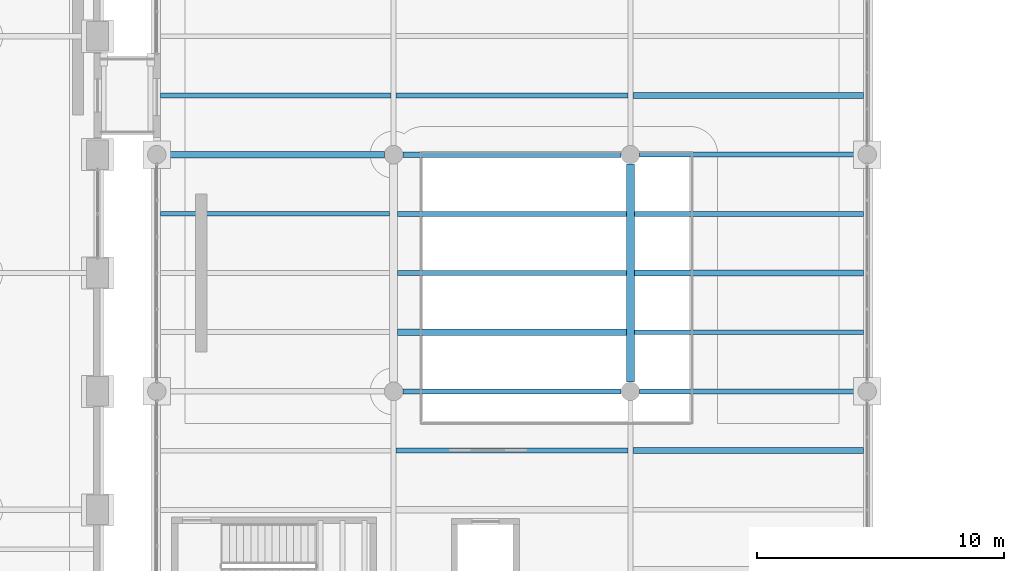
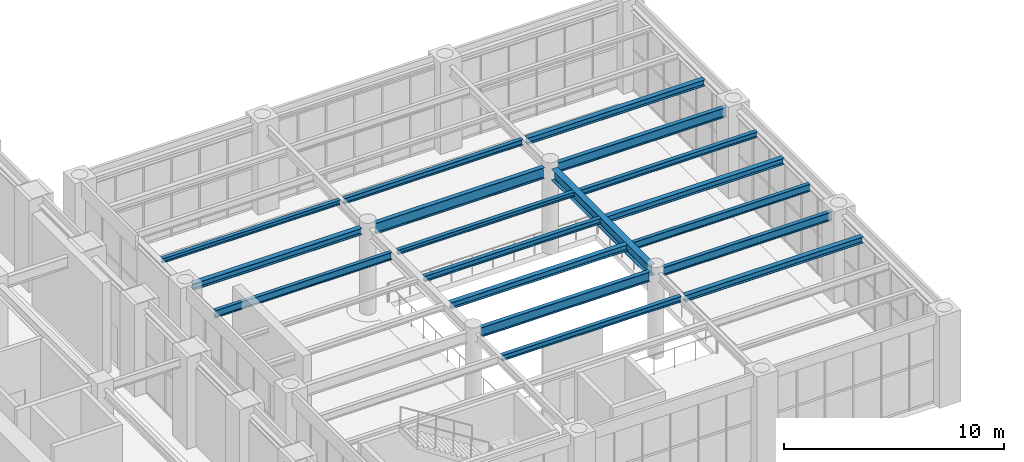
# One storey, part 40 of 174: 18 beams.
"""IFC4 building model written with IfcOpenShell, lengths in metres."""

from ifc_helpers import new_model, si_unit, direction, frame, origin, origin_2d, place, context, subcontext, project, spatial, i_section, extrude, material, material_profile, profile_set, type_object, element, save


model = new_model("IFC4")

# Units and contexts
model_context = context("Model", 3, precision=1e-05, world=origin(), true_north=direction((0.0, 1.0)))
body_context = subcontext(model_context, "Body", "Model", "MODEL_VIEW")
ifc_project = project(units=[si_unit("LENGTHUNIT", "METRE"), si_unit("AREAUNIT", "SQUARE_METRE"), si_unit("VOLUMEUNIT", "CUBIC_METRE"), si_unit("PLANEANGLEUNIT", "RADIAN"), si_unit("MASSUNIT", "GRAM", prefix="KILO")], contexts=[model_context])

# Site, building, storey
site_placement = place(None, origin())
site = spatial("IfcSite", under=ifc_project, at=site_placement, CompositionType="ELEMENT")
building_placement = place(site_placement, origin())
building = spatial("IfcBuilding", under=site, at=building_placement, Name="Mavantir Sound Aquarium", CompositionType="ELEMENT")
storey_placement = place(building_placement, frame((0.0, 0.0, 5.39990234375)))
storey = spatial("IfcBuildingStorey", under=building, at=storey_placement, Name="L01", CompositionType="ELEMENT", Elevation=5.39990234375)

# Beams
ifc_material = material(Name="Structural Steel ASTM A992 Gr50", Category="steel")
ifc_material_profile_1 = material_profile(ifc_material, i_section(OverallWidth=0.202880859375, OverallDepth=0.251953125, WebThickness=0.008056640625, FlangeThickness=0.013427734375, FilletRadius=0.011962890625, at=origin_2d()), Name="W250X58")
ifc_profile_set_1 = profile_set([ifc_material_profile_1], Name="Structural Steel ASTM A992 Gr50")
beam_type_1 = type_object("IfcBeamType", Name="BM-W250X58-I", PredefinedType="JOIST", material=ifc_profile_set_1)
beam_1_placement = place(storey_placement, frame((45.761962890625, 57.60009765625, 4.670166015625), z_axis=(1.0, 0.0, 0.0), x_axis=(0.0, 1.0, 0.0)))
element("IfcBeam", 1, at=beam_1_placement, inside=storey, type_object=beam_type_1, Name="L01 secondary floor joist SJ-25 676", PredefinedType="JOIST", context=body_context, shape_type="SweptSolid", body=[
    extrude(i_section(OverallWidth=0.202880859375, OverallDepth=0.251953125, WebThickness=0.008056640625, FlangeThickness=0.013427734375, FilletRadius=0.011962890625, at=origin_2d()), origin(), (0.0, 0.0, 1.0), 9.276123046875),
])
beam_2_placement = place(storey_placement, frame((36.152587890625, 62.39990234375, 4.650146484375), z_axis=(1.0, 0.0, 0.0), x_axis=(0.0, 1.0, 0.0)))
element("IfcBeam", 2, at=beam_2_placement, inside=storey, type_object=beam_type_1, Name="L01 secondary floor joist SJ-25 680", PredefinedType="JOIST", context=body_context, shape_type="SweptSolid", body=[
    extrude(i_section(OverallWidth=0.202880859375, OverallDepth=0.251953125, WebThickness=0.008056640625, FlangeThickness=0.013427734375, FilletRadius=0.011962890625, at=origin_2d()), origin(), (0.0, 0.0, 1.0), 9.34130859375),
])
ifc_material_profile_2 = material_profile(ifc_material, i_section(OverallWidth=0.205078125, OverallDepth=0.31005859375, WebThickness=0.009521484375, FlangeThickness=0.016357421875, FilletRadius=0.012939453125, at=origin_2d()), Name="W310X74")
ifc_profile_set_2 = profile_set([ifc_material_profile_2], Name="Structural Steel ASTM A992 Gr50")
beam_type_2 = type_object("IfcBeamType", Name="BM-W310X74-I", PredefinedType="JOIST", material=ifc_profile_set_2)
beam_3_placement = place(storey_placement, frame((45.697021484375, 48.0, 4.64111328125), z_axis=(1.0, 0.0, 0.0), x_axis=(0.0, 1.0, 0.0)))
element("IfcBeam", 3, at=beam_3_placement, inside=storey, type_object=beam_type_2, Name="L01 secondary floor joist SJ-31 667", PredefinedType="JOIST", context=body_context, shape_type="SweptSolid", body=[
    extrude(i_section(OverallWidth=0.205078125, OverallDepth=0.31005859375, WebThickness=0.009521484375, FlangeThickness=0.016357421875, FilletRadius=0.012939453125, at=origin_2d()), origin(), (0.0, 0.0, 1.0), 9.406005859375),
])
beam_4_placement = place(storey_placement, frame((45.761962890625, 55.199951171875, 4.64111328125), z_axis=(1.0, 0.0, 0.0), x_axis=(0.0, 1.0, 0.0)))
element("IfcBeam", 4, at=beam_4_placement, inside=storey, type_object=beam_type_2, Name="L01 secondary floor joist SJ-31 675", PredefinedType="JOIST", context=body_context, shape_type="SweptSolid", body=[
    extrude(i_section(OverallWidth=0.205078125, OverallDepth=0.31005859375, WebThickness=0.009521484375, FlangeThickness=0.016357421875, FilletRadius=0.012939453125, at=origin_2d()), origin(), (0.0, 0.0, 1.0), 9.276123046875),
])
beam_5_placement = place(storey_placement, frame((55.362060546875, 57.60009765625, 4.62109375), z_axis=(1.0, 0.0, 0.0), x_axis=(0.0, 1.0, 0.0)))
element("IfcBeam", 5, at=beam_5_placement, inside=storey, type_object=beam_type_2, Name="L01 secondary floor joist SJ-31 679", PredefinedType="JOIST", context=body_context, shape_type="SweptSolid", body=[
    extrude(i_section(OverallWidth=0.205078125, OverallDepth=0.31005859375, WebThickness=0.009521484375, FlangeThickness=0.016357421875, FilletRadius=0.012939453125, at=origin_2d()), origin(), (0.0, 0.0, 1.0), 9.285400390625),
])
beam_6_placement = place(storey_placement, frame((45.7060546875, 62.39990234375, 4.62109375), z_axis=(1.0, 0.0, 0.0), x_axis=(0.0, 1.0, 0.0)))
element("IfcBeam", 6, at=beam_6_placement, inside=storey, type_object=beam_type_2, Name="L01 secondary floor joist SJ-31 683", PredefinedType="JOIST", context=body_context, shape_type="SweptSolid", body=[
    extrude(i_section(OverallWidth=0.205078125, OverallDepth=0.31005859375, WebThickness=0.009521484375, FlangeThickness=0.016357421875, FilletRadius=0.012939453125, at=origin_2d()), origin(), (0.0, 0.0, 1.0), 9.387939453125),
])
ifc_material_profile_3 = material_profile(ifc_material, i_section(OverallWidth=0.257080078125, OverallDepth=0.363037109375, WebThickness=0.012939453125, FlangeThickness=0.021728515625, FilletRadius=0.014892578125, at=origin_2d()), Name="W360X122")
ifc_profile_set_3 = profile_set([ifc_material_profile_3], Name="Structural Steel ASTM A992 Gr50")
beam_type_3 = type_object("IfcBeamType", Name="BM-W360X122-I", PredefinedType="BEAM", material=ifc_profile_set_3)
beam_7_placement = place(storey_placement, frame((36.375, 60.0, 4.594482421875), z_axis=(1.0, 0.0, 0.0), x_axis=(0.0, 1.0, 0.0)))
element("IfcBeam", 7, at=beam_7_placement, inside=storey, type_object=beam_type_3, Name="L01 primary beam SB-36A 1188", PredefinedType="BEAM", context=body_context, shape_type="SweptSolid", body=[
    extrude(i_section(OverallWidth=0.257080078125, OverallDepth=0.363037109375, WebThickness=0.012939453125, FlangeThickness=0.021728515625, FilletRadius=0.014892578125, at=origin_2d()), origin(), (0.0, 0.0, 1.0), 8.85009765625),
])
ifc_material_profile_4 = material_profile(ifc_material, i_section(OverallWidth=0.25390625, OverallDepth=0.35302734375, WebThickness=0.009521484375, FlangeThickness=0.016357421875, FilletRadius=0.014892578125, at=origin_2d()), Name="W360X91")
ifc_profile_set_4 = profile_set([ifc_material_profile_4], Name="Structural Steel ASTM A992 Gr50")
beam_type_4 = type_object("IfcBeamType", Name="BM-W360X91-I", PredefinedType="JOIST", material=ifc_profile_set_4)
beam_8_placement = place(storey_placement, frame((55.297119140625, 48.0, 4.599609375), z_axis=(1.0, 0.0, 0.0), x_axis=(0.0, 1.0, 0.0)))
element("IfcBeam", 8, at=beam_8_placement, inside=storey, type_object=beam_type_4, Name="L01 secondary floor joist SJ-36 670", PredefinedType="JOIST", context=body_context, shape_type="SweptSolid", body=[
    extrude(i_section(OverallWidth=0.25390625, OverallDepth=0.35302734375, WebThickness=0.009521484375, FlangeThickness=0.016357421875, FilletRadius=0.014892578125, at=origin_2d()), origin(), (0.0, 0.0, 1.0), 9.350341796875),
])
beam_9_placement = place(storey_placement, frame((45.761962890625, 52.800048828125, 4.61962890625), z_axis=(1.0, 0.0, 0.0), x_axis=(0.0, 1.0, 0.0)))
element("IfcBeam", 9, at=beam_9_placement, inside=storey, type_object=beam_type_4, Name="L01 secondary floor joist SJ-36 674", PredefinedType="JOIST", context=body_context, shape_type="SweptSolid", body=[
    extrude(i_section(OverallWidth=0.25390625, OverallDepth=0.35302734375, WebThickness=0.009521484375, FlangeThickness=0.016357421875, FilletRadius=0.014892578125, at=origin_2d()), origin(), (0.0, 0.0, 1.0), 9.276123046875),
])
beam_10_placement = place(storey_placement, frame((55.362060546875, 55.199951171875, 4.599609375), z_axis=(1.0, 0.0, 0.0), x_axis=(0.0, 1.0, 0.0)))
element("IfcBeam", 10, at=beam_10_placement, inside=storey, type_object=beam_type_4, Name="L01 secondary floor joist SJ-36 678", PredefinedType="JOIST", context=body_context, shape_type="SweptSolid", body=[
    extrude(i_section(OverallWidth=0.25390625, OverallDepth=0.35302734375, WebThickness=0.009521484375, FlangeThickness=0.016357421875, FilletRadius=0.014892578125, at=origin_2d()), origin(), (0.0, 0.0, 1.0), 9.285400390625),
])
beam_11_placement = place(storey_placement, frame((55.305908203125, 62.39990234375, 4.599609375), z_axis=(1.0, 0.0, 0.0), x_axis=(0.0, 1.0, 0.0)))
element("IfcBeam", 11, at=beam_11_placement, inside=storey, type_object=beam_type_4, Name="L01 secondary floor joist SJ-36 686", PredefinedType="JOIST", context=body_context, shape_type="SweptSolid", body=[
    extrude(i_section(OverallWidth=0.25390625, OverallDepth=0.35302734375, WebThickness=0.009521484375, FlangeThickness=0.016357421875, FilletRadius=0.014892578125, at=origin_2d()), origin(), (0.0, 0.0, 1.0), 9.341552734375),
])
ifc_material_profile_5 = material_profile(ifc_material, i_section(OverallWidth=0.180908203125, OverallDepth=0.4169921875, WebThickness=0.010986328125, FlangeThickness=0.018310546875, FilletRadius=0.014892578125, at=origin_2d()), Name="W410X85")
ifc_profile_set_5 = profile_set([ifc_material_profile_5], Name="Structural Steel ASTM A992 Gr50")
beam_type_5 = type_object("IfcBeamType", Name="BM-W410X85-I", PredefinedType="JOIST", material=ifc_profile_set_5)
for number, where, z_axis, x_axis, name in (
    (12, (36.152587890625, 57.60009765625, 4.587646484375), (1.0, 0.0, 0.0), (0.0, 1.0, 0.0), "L01 secondary floor joist SJ-41 673"),
    (13, (55.362060546875, 52.800048828125, 4.567626953125), (1.0, 0.0, 0.0), (0.0, 1.0, 0.0), "L01 secondary floor joist SJ-41 677"),
):
    element("IfcBeam", number, at=place(storey_placement, frame(where, z_axis=z_axis, x_axis=x_axis)), inside=storey, type_object=beam_type_5, Name=name, PredefinedType="JOIST", context=body_context, shape_type="SweptSolid", body=[
        extrude(i_section(OverallWidth=0.180908203125, OverallDepth=0.4169921875, WebThickness=0.010986328125, FlangeThickness=0.018310546875, FilletRadius=0.014892578125, at=origin_2d()), origin(), (0.0, 0.0, 1.0), 9.285400390625),
    ])
ifc_material_profile_6 = material_profile(ifc_material, i_section(OverallWidth=0.194091796875, OverallDepth=0.468994140625, WebThickness=0.0126953125, FlangeThickness=0.0205078125, FilletRadius=0.01611328125, at=origin_2d()), Name="W460X106")
ifc_profile_set_6 = profile_set([ifc_material_profile_6], Name="Structural Steel ASTM A992 Gr50")
beam_type_6 = type_object("IfcBeamType", Name="BM-W460X106-I", PredefinedType="BEAM", material=ifc_profile_set_6)
beam_12_placement = place(storey_placement, frame((55.574951171875, 50.39990234375, 4.54150390625), z_axis=(1.0, 0.0, 0.0), x_axis=(0.0, 1.0, 0.0)))
element("IfcBeam", 14, at=beam_12_placement, inside=storey, type_object=beam_type_6, Name="L01 primary beam SB-46 1187", PredefinedType="BEAM", context=body_context, shape_type="SweptSolid", body=[
    extrude(i_section(OverallWidth=0.194091796875, OverallDepth=0.468994140625, WebThickness=0.0126953125, FlangeThickness=0.0205078125, FilletRadius=0.01611328125, at=origin_2d()), origin(), (0.0, 0.0, 1.0), 8.85009765625),
])
ifc_material_profile_7 = material_profile(ifc_material, i_section(OverallWidth=0.2119140625, OverallDepth=0.5439453125, WebThickness=0.01318359375, FlangeThickness=0.021240234375, FilletRadius=0.01806640625, at=origin_2d()), Name="W530X123")
ifc_profile_set_7 = profile_set([ifc_material_profile_7], Name="Structural Steel ASTM A992 Gr50")
beam_type_7 = type_object("IfcBeamType", Name="BM-W530X123-I", PredefinedType="BEAM", material=ifc_profile_set_7)
beam_13_placement = place(storey_placement, frame((45.97509765625, 50.39990234375, 4.524169921875), z_axis=(1.0, 0.0, 0.0), x_axis=(0.0, 1.0, 0.0)))
element("IfcBeam", 15, at=beam_13_placement, inside=storey, type_object=beam_type_7, Name="L01 primary beam SB-53 1186", PredefinedType="BEAM", context=body_context, shape_type="SweptSolid", body=[
    extrude(i_section(OverallWidth=0.2119140625, OverallDepth=0.5439453125, WebThickness=0.01318359375, FlangeThickness=0.021240234375, FilletRadius=0.01806640625, at=origin_2d()), origin(), (0.0, 0.0, 1.0), 8.849853515625),
])
beam_14_placement = place(storey_placement, frame((55.574951171875, 60.0, 4.504150390625), z_axis=(1.0, 0.0, 0.0), x_axis=(0.0, 1.0, 0.0)))
element("IfcBeam", 16, at=beam_14_placement, inside=storey, type_object=beam_type_7, Name="L01 primary beam SB-53 1190", PredefinedType="BEAM", context=body_context, shape_type="SweptSolid", body=[
    extrude(i_section(OverallWidth=0.2119140625, OverallDepth=0.5439453125, WebThickness=0.01318359375, FlangeThickness=0.021240234375, FilletRadius=0.01806640625, at=origin_2d()), origin(), (0.0, 0.0, 1.0), 8.85009765625),
])
ifc_material_profile_8 = material_profile(ifc_material, i_section(OverallWidth=0.22900390625, OverallDepth=0.612060546875, WebThickness=0.011962890625, FlangeThickness=0.01953125, FilletRadius=0.01904296875, at=origin_2d()), Name="W610X125")
ifc_profile_set_8 = profile_set([ifc_material_profile_8], Name="Structural Steel ASTM A992 Gr50")
beam_type_8 = type_object("IfcBeamType", Name="BM-W610X125-I", PredefinedType="BEAM", material=ifc_profile_set_8)
beam_15_placement = place(storey_placement, frame((45.97509765625, 60.0, 4.47021484375), z_axis=(1.0, 0.0, 0.0), x_axis=(0.0, 1.0, 0.0)))
element("IfcBeam", 17, at=beam_15_placement, inside=storey, type_object=beam_type_8, Name="L01 primary beam SB-61B 1189", PredefinedType="BEAM", context=body_context, shape_type="SweptSolid", body=[
    extrude(i_section(OverallWidth=0.22900390625, OverallDepth=0.612060546875, WebThickness=0.011962890625, FlangeThickness=0.01953125, FilletRadius=0.01904296875, at=origin_2d()), origin(), (0.0, 0.0, 1.0), 8.849853515625),
])
ifc_material_profile_9 = material_profile(ifc_material, i_section(OverallWidth=0.323974609375, OverallDepth=0.611083984375, WebThickness=0.0126953125, FlangeThickness=0.01904296875, FilletRadius=0.01904296875, at=origin_2d()), Name="W610X155")
ifc_profile_set_9 = profile_set([ifc_material_profile_9], Name="Structural Steel ASTM A992 Gr50")
beam_type_9 = type_object("IfcBeamType", Name="BM-W610X155-I", PredefinedType="BEAM", material=ifc_profile_set_9)
beam_16_placement = place(storey_placement, frame((55.199951171875, 50.77490234375, 4.470703125), z_axis=(0.0, 1.0, 0.0), x_axis=(-1.0, 0.0, 0.0)))
element("IfcBeam", 18, at=beam_16_placement, inside=storey, type_object=beam_type_9, Name="L01 primary girder SB-61A 1201", PredefinedType="BEAM", context=body_context, shape_type="SweptSolid", body=[
    extrude(i_section(OverallWidth=0.323974609375, OverallDepth=0.611083984375, WebThickness=0.0126953125, FlangeThickness=0.01904296875, FilletRadius=0.01904296875, at=origin_2d()), origin(), (0.0, 0.0, 1.0), 8.85009765625),
])

save(model, "model.ifc")
